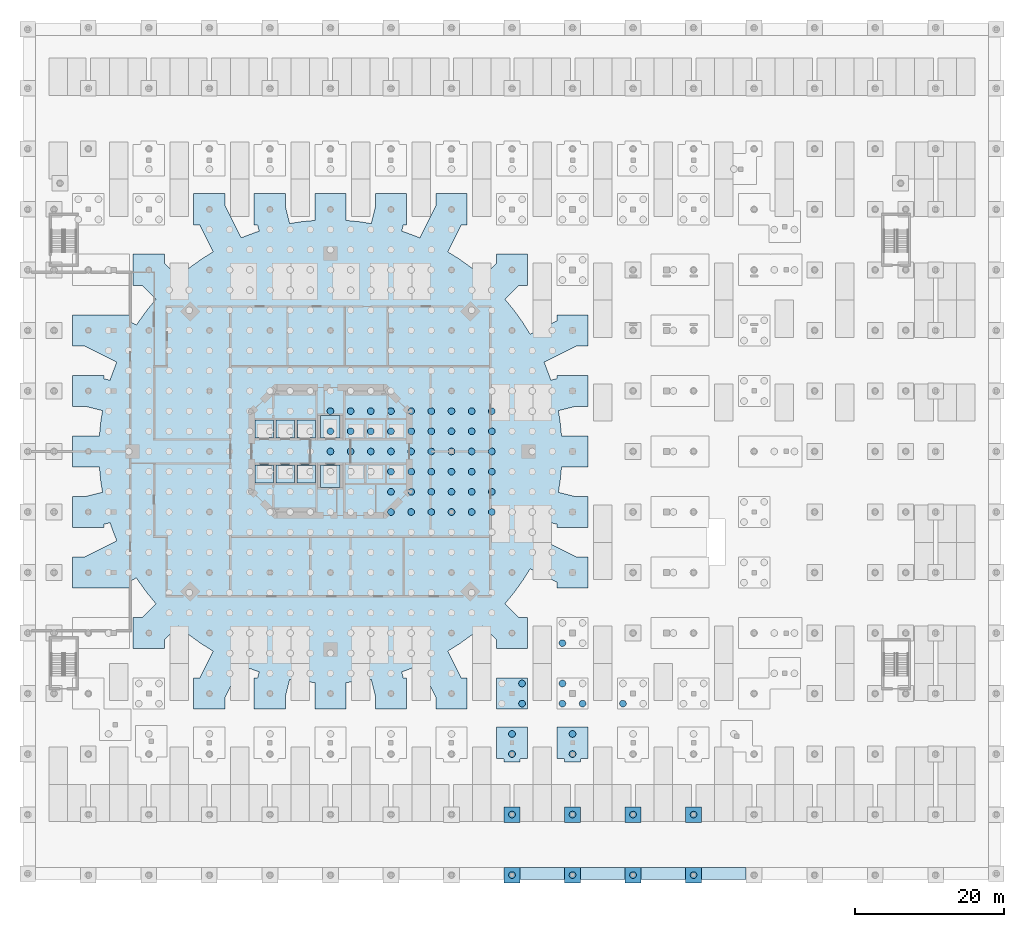
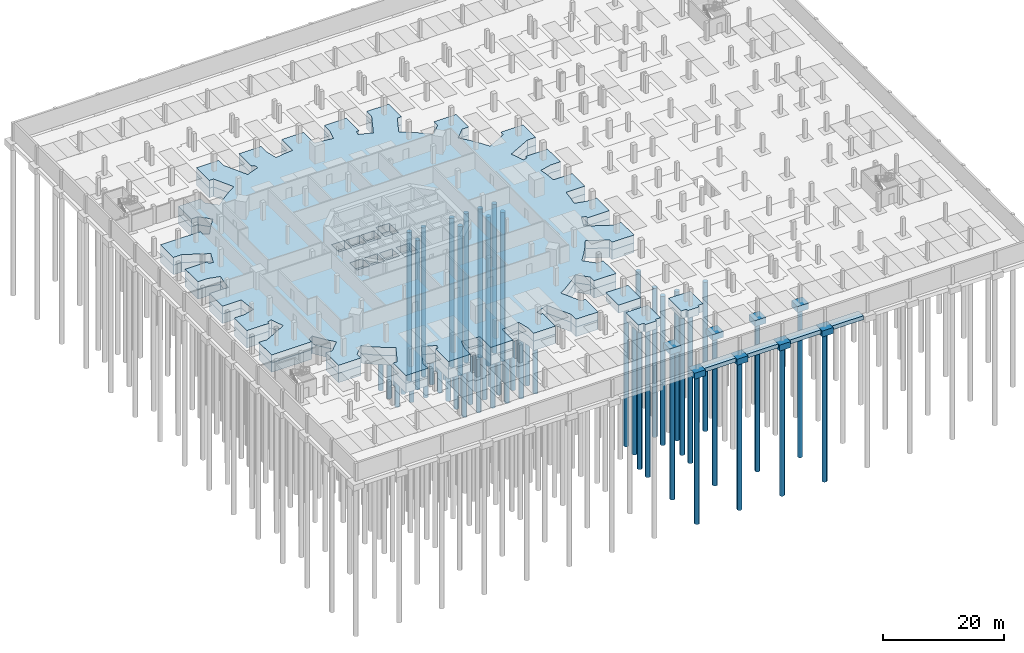
# One storey, part 3 of 23: 64 piles, 17 footings.
"""IFC4 building model written with IfcOpenShell, lengths in metres."""

from ifc_helpers import new_model, si_unit, direction, frame, origin, origin_2d, place, context, subcontext, project, spatial, polyline, rectangle, circle, outline, extrude, material, material_profile, profile_set, type_object, element, save


model = new_model("IFC4")

# Units and contexts
model_context = context("Model", 3, precision=1e-05, world=origin(), true_north=direction((0.0, 1.0)))
body_context = subcontext(model_context, "Body", "Model", "MODEL_VIEW")
ifc_project = project(units=[si_unit("LENGTHUNIT", "METRE"), si_unit("AREAUNIT", "SQUARE_METRE"), si_unit("VOLUMEUNIT", "CUBIC_METRE"), si_unit("PLANEANGLEUNIT", "RADIAN"), si_unit("MASSUNIT", "GRAM", prefix="KILO")], contexts=[model_context])

# Site, building, storey
site_placement = place(None, origin())
site = spatial("IfcSite", under=ifc_project, at=site_placement, CompositionType="ELEMENT")
building_placement = place(site_placement, origin())
building = spatial("IfcBuilding", under=site, at=building_placement, Name="Torre Triforio", CompositionType="ELEMENT")
storey_placement = place(building_placement, frame((0.0, 0.0, -10.800048828125)))
storey = spatial("IfcBuildingStorey", under=building, at=storey_placement, Name="B3", CompositionType="ELEMENT", Elevation=-10.800048828125)

# Piles
ifc_material_1 = material(Name="Concrete C35", Category="concrete")
ifc_material_profile = material_profile(ifc_material_1, circle(Radius=0.449951171875, at=origin_2d()), Name="RC D900")
ifc_profile_set = profile_set([ifc_material_profile], Name="Concrete C35")
pile_type = type_object("IfcPileType", Name="Bored pile D900 C35", PredefinedType="BORED", material=ifc_profile_set)
for number, where, z_axis, x_axis, name in (
    (1, (0.0, 0.0, -3.39990234375), (0.0, 0.0, -1.0), (1.0, 0.0, 0.0), "PL.RAFT.229"),
    (2, (0.0, 2.699951171875, -3.39990234375), (0.0, 0.0, -1.0), (1.0, 0.0, 0.0), "PL.RAFT.230"),
    (3, (0.0, 5.39990234375, -3.39990234375), (0.0, 0.0, -1.0), (1.0, 0.0, 0.0), "PL.RAFT.231"),
    (4, (2.699951171875, 0.0, -3.39990234375), (0.0, 0.0, -1.0), (1.0, 0.0, 0.0), "PL.RAFT.253"),
    (5, (2.699951171875, 2.699951171875, -3.39990234375), (0.0, 0.0, -1.0), (1.0, 0.0, 0.0), "PL.RAFT.254"),
    (6, (2.699951171875, 5.39990234375, -3.39990234375), (0.0, 0.0, -1.0), (1.0, 0.0, 0.0), "PL.RAFT.255"),
    (7, (5.39990234375, 0.0, -3.39990234375), (0.0, 0.0, -1.0), (1.0, 0.0, 0.0), "PL.RAFT.276"),
    (8, (5.39990234375, 2.699951171875, -3.39990234375), (0.0, 0.0, -1.0), (1.0, 0.0, 0.0), "PL.RAFT.277"),
    (9, (5.39990234375, 5.39990234375, -3.39990234375), (0.0, 0.0, -1.0), (1.0, 0.0, 0.0), "PL.RAFT.278"),
    (10, (8.10009765625, -8.10009765625, -3.39990234375), (0.0, 0.0, -1.0), (1.0, 0.0, 0.0), "PL.RAFT.297"),
    (11, (8.10009765625, -5.39990234375, -3.39990234375), (0.0, 0.0, -1.0), (1.0, 0.0, 0.0), "PL.RAFT.298"),
    (12, (8.10009765625, -2.699951171875, -3.39990234375), (0.0, 0.0, -1.0), (1.0, 0.0, 0.0), "PL.RAFT.299"),
    (13, (8.10009765625, 0.0, -3.39990234375), (0.0, 0.0, -1.0), (1.0, 0.0, 0.0), "PL.RAFT.300"),
    (14, (8.10009765625, 2.699951171875, -3.39990234375), (0.0, 0.0, -1.0), (1.0, 0.0, 0.0), "PL.RAFT.301"),
    (15, (8.10009765625, 5.39990234375, -3.39990234375), (0.0, 0.0, -1.0), (1.0, 0.0, 0.0), "PL.RAFT.302"),
    (16, (10.800048828125, -8.10009765625, -3.39990234375), (0.0, 0.0, -1.0), (1.0, 0.0, 0.0), "PL.RAFT.320"),
    (17, (10.800048828125, -5.39990234375, -3.39990234375), (0.0, 0.0, -1.0), (1.0, 0.0, 0.0), "PL.RAFT.321"),
    (18, (10.800048828125, -2.699951171875, -3.39990234375), (0.0, 0.0, -1.0), (1.0, 0.0, 0.0), "PL.RAFT.322"),
    (19, (10.800048828125, 0.0, -3.39990234375), (0.0, 0.0, -1.0), (1.0, 0.0, 0.0), "PL.RAFT.323"),
    (20, (10.800048828125, 2.699951171875, -3.39990234375), (0.0, 0.0, -1.0), (1.0, 0.0, 0.0), "PL.RAFT.324"),
    (21, (10.800048828125, 5.39990234375, -3.39990234375), (0.0, 0.0, -1.0), (1.0, 0.0, 0.0), "PL.RAFT.325"),
    (22, (13.5, -8.10009765625, -3.39990234375), (0.0, 0.0, -1.0), (1.0, 0.0, 0.0), "PL.RAFT.342"),
    (23, (13.5, -5.39990234375, -3.39990234375), (0.0, 0.0, -1.0), (1.0, 0.0, 0.0), "PL.RAFT.343"),
    (24, (13.5, -2.699951171875, -3.39990234375), (0.0, 0.0, -1.0), (1.0, 0.0, 0.0), "PL.RAFT.344"),
    (25, (13.5, 0.0, -3.39990234375), (0.0, 0.0, -1.0), (1.0, 0.0, 0.0), "PL.RAFT.345"),
    (26, (13.5, 2.699951171875, -3.39990234375), (0.0, 0.0, -1.0), (1.0, 0.0, 0.0), "PL.RAFT.346"),
    (27, (13.5, 5.39990234375, -3.39990234375), (0.0, 0.0, -1.0), (1.0, 0.0, 0.0), "PL.RAFT.347"),
    (28, (16.199951171875, -8.10009765625, -3.39990234375), (0.0, 0.0, -1.0), (1.0, 0.0, 0.0), "PL.RAFT.365"),
    (29, (16.199951171875, -5.39990234375, -3.39990234375), (0.0, 0.0, -1.0), (1.0, 0.0, 0.0), "PL.RAFT.366"),
    (30, (16.199951171875, -2.699951171875, -3.39990234375), (0.0, 0.0, -1.0), (1.0, 0.0, 0.0), "PL.RAFT.367"),
    (31, (16.199951171875, 0.0, -3.39990234375), (0.0, 0.0, -1.0), (1.0, 0.0, 0.0), "PL.RAFT.368"),
    (32, (16.199951171875, 2.699951171875, -3.39990234375), (0.0, 0.0, -1.0), (1.0, 0.0, 0.0), "PL.RAFT.369"),
    (33, (16.199951171875, 5.39990234375, -3.39990234375), (0.0, 0.0, -1.0), (1.0, 0.0, 0.0), "PL.RAFT.370"),
    (34, (18.89990234375, -8.10009765625, -3.39990234375), (0.0, 0.0, -1.0), (1.0, 0.0, 0.0), "PL.RAFT.385"),
    (35, (18.89990234375, -5.39990234375, -3.39990234375), (0.0, 0.0, -1.0), (1.0, 0.0, 0.0), "PL.RAFT.386"),
    (36, (18.89990234375, -2.699951171875, -3.39990234375), (0.0, 0.0, -1.0), (1.0, 0.0, 0.0), "PL.RAFT.387"),
    (37, (18.89990234375, 0.0, -3.39990234375), (0.0, 0.0, -1.0), (1.0, 0.0, 0.0), "PL.RAFT.388"),
    (38, (18.89990234375, 2.699951171875, -3.39990234375), (0.0, 0.0, -1.0), (1.0, 0.0, 0.0), "PL.RAFT.389"),
    (39, (18.89990234375, 5.39990234375, -3.39990234375), (0.0, 0.0, -1.0), (1.0, 0.0, 0.0), "PL.RAFT.390"),
    (40, (21.60009765625, -8.10009765625, -3.39990234375), (0.0, 0.0, -1.0), (1.0, 0.0, 0.0), "PL.RAFT.402"),
    (41, (21.60009765625, -5.39990234375, -3.39990234375), (0.0, 0.0, -1.0), (1.0, 0.0, 0.0), "PL.RAFT.403"),
    (42, (21.60009765625, -2.699951171875, -3.39990234375), (0.0, 0.0, -1.0), (1.0, 0.0, 0.0), "PL.RAFT.404"),
    (43, (21.60009765625, 0.0, -3.39990234375), (0.0, 0.0, -1.0), (1.0, 0.0, 0.0), "PL.RAFT.405"),
    (44, (21.60009765625, 2.699951171875, -3.39990234375), (0.0, 0.0, -1.0), (1.0, 0.0, 0.0), "PL.RAFT.406"),
    (45, (21.60009765625, 5.39990234375, -3.39990234375), (0.0, 0.0, -1.0), (1.0, 0.0, 0.0), "PL.RAFT.407"),
    (46, (24.300048828125, -56.699951171875, -1.099853515625), (0.0, 0.0, -1.0), (1.0, 0.0, 0.0), "PL.PC.008.1"),
    (47, (32.39990234375, -56.699951171875, -1.099853515625), (0.0, 0.0, -1.0), (1.0, 0.0, 0.0), "PL.PC.009.1"),
    (48, (40.5, -56.699951171875, -1.099853515625), (0.0, 0.0, -1.0), (1.0, 0.0, 0.0), "PL.PC.010.1"),
    (49, (48.60009765625, -56.699951171875, -1.099853515625), (0.0, 0.0, -1.0), (1.0, 0.0, 0.0), "PL.PC.011.1"),
    (50, (24.300048828125, -48.60009765625, -1.099853515625), (0.0, 0.0, -1.0), (1.0, 0.0, 0.0), "PL.PC.026.1"),
    (51, (32.39990234375, -48.60009765625, -1.099853515625), (0.0, 0.0, -1.0), (1.0, 0.0, 0.0), "PL.PC.027.1"),
    (52, (40.5, -48.60009765625, -1.099853515625), (0.0, 0.0, -1.0), (1.0, 0.0, 0.0), "PL.PC.028.1"),
    (53, (48.60009765625, -48.60009765625, -1.099853515625), (0.0, 0.0, -1.0), (1.0, 0.0, 0.0), "PL.PC.029.1"),
    (54, (24.300048828125, -40.5, -1.5), (0.0, 0.0, -1.0), (1.0, 0.0, 0.0), "PL.PC.046.1"),
    (55, (24.300048828125, -37.800048828125, -1.5), (0.0, 0.0, -1.0), (1.0, 0.0, 0.0), "PL.PC.046.2"),
    (56, (32.39990234375, -40.5, -1.5), (0.0, 0.0, -1.0), (1.0, 0.0, 0.0), "PL.PC.047.1"),
    (57, (32.39990234375, -37.800048828125, -1.5), (0.0, 0.0, -1.0), (1.0, 0.0, 0.0), "PL.PC.047.2"),
    (58, (25.64990234375, -33.75, -1.5), (0.0, 0.0, -1.0), (1.0, 0.0, 0.0), "PL.PC.056.2"),
    (59, (25.64990234375, -31.050048828125, -1.5), (0.0, 0.0, -1.0), (1.0, 0.0, 0.0), "PL.PC.056.4"),
    (60, (31.050048828125, -33.75, -1.5), (0.0, 0.0, -1.0), (1.0, 0.0, 0.0), "PL.PC.057.1"),
    (61, (33.75, -33.75, -1.5), (0.0, 0.0, -1.0), (1.0, 0.0, 0.0), "PL.PC.057.2"),
    (62, (31.050048828125, -31.050048828125, -1.5), (0.0, 0.0, -1.0), (1.0, 0.0, 0.0), "PL.PC.057.3"),
    (63, (39.14990234375, -33.75, -1.5), (0.0, 0.0, -1.0), (1.0, 0.0, 0.0), "PL.PC.058.1"),
    (64, (31.050048828125, -25.64990234375, -1.5), (0.0, 0.0, -1.0), (1.0, 0.0, 0.0), "PL.PC.069.1"),
):
    element("IfcPile", number, at=place(storey_placement, frame(where, z_axis=z_axis, x_axis=x_axis)), inside=storey, type_object=pile_type, Name=name, PredefinedType="BORED", context=body_context, shape_type="SweptSolid", body=[
        extrude(circle(Radius=0.449951171875, at=origin_2d()), origin(), (0.0, 0.0, 1.0), 30.0),
    ])

# Footings
ifc_material_2 = material(Name="Concrete C50", Category="concrete")
footing_type_1 = type_object("IfcFootingType", Name="Pile cap combined 1600 C50", PredefinedType="PILE_CAP", material=ifc_material_2)
footing_1_placement = place(storey_placement, frame((0.0, 0.0, -1.599853515625)))
element("IfcFooting", 65, at=footing_1_placement, inside=storey, type_object=footing_type_1, Name="FT.PC.046", PredefinedType="PILE_CAP", context=body_context, shape_type="SweptSolid", body=[
    extrude(outline(polyline([(22.2001953125, -41.099853515625), (22.20361328125, -41.10009765625), (23.10009765625, -41.10009765625), (23.11474609375, -41.100830078125), (23.129150390625, -41.102783203125), (23.1435546875, -41.1064453125), (23.157470703125, -41.111328125), (23.170654296875, -41.11767578125), (23.183349609375, -41.125244140625), (23.195068359375, -41.134033203125), (23.2060546875, -41.14404296875), (23.216064453125, -41.15478515625), (23.224609375, -41.166748046875), (23.232177734375, -41.17919921875), (23.238525390625, -41.192626953125), (23.24365234375, -41.20654296875), (23.2470703125, -41.220703125), (23.249267578125, -41.2353515625), (23.25, -41.25), (23.25, -41.54638671875), (23.250244140625, -41.5498046875), (23.253662109375, -41.550048828125), (25.346435546875, -41.550048828125), (25.349853515625, -41.5498046875), (25.35009765625, -41.54638671875), (25.35009765625, -41.25), (25.350830078125, -41.2353515625), (25.352783203125, -41.220703125), (25.3564453125, -41.20654296875), (25.361328125, -41.192626953125), (25.36767578125, -41.17919921875), (25.375244140625, -41.166748046875), (25.384033203125, -41.15478515625), (25.39404296875, -41.14404296875), (25.40478515625, -41.134033203125), (25.416748046875, -41.125244140625), (25.42919921875, -41.11767578125), (25.442626953125, -41.111328125), (25.45654296875, -41.1064453125), (25.470703125, -41.102783203125), (25.4853515625, -41.100830078125), (25.5, -41.10009765625), (26.396240234375, -41.10009765625), (26.39990234375, -41.099853515625), (26.39990234375, -41.096435546875), (26.39990234375, -36.903564453125), (26.39990234375, -36.900146484375), (26.396240234375, -36.89990234375), (22.20361328125, -36.89990234375), (22.2001953125, -36.900146484375), (22.199951171875, -36.903564453125), (22.199951171875, -41.096435546875), (22.2001953125, -41.099853515625)])), origin(), (0.0, 0.0, 1.0), 1.599853515625),
])
footing_2_placement = place(storey_placement, frame((0.0, 0.0, -1.599853515625)))
element("IfcFooting", 66, at=footing_2_placement, inside=storey, type_object=footing_type_1, Name="FT.PC.047", PredefinedType="PILE_CAP", context=body_context, shape_type="SweptSolid", body=[
    extrude(outline(polyline([(30.30029296875, -41.099853515625), (30.3037109375, -41.10009765625), (31.199951171875, -41.10009765625), (31.214599609375, -41.100830078125), (31.229248046875, -41.102783203125), (31.24365234375, -41.1064453125), (31.25732421875, -41.111328125), (31.270751953125, -41.11767578125), (31.283447265625, -41.125244140625), (31.295166015625, -41.134033203125), (31.30615234375, -41.14404296875), (31.31591796875, -41.15478515625), (31.32470703125, -41.166748046875), (31.332275390625, -41.17919921875), (31.338623046875, -41.192626953125), (31.343505859375, -41.20654296875), (31.34716796875, -41.220703125), (31.349365234375, -41.2353515625), (31.35009765625, -41.25), (31.35009765625, -41.54638671875), (31.35009765625, -41.5498046875), (31.353759765625, -41.550048828125), (33.4462890625, -41.550048828125), (33.44970703125, -41.5498046875), (33.449951171875, -41.54638671875), (33.449951171875, -41.25), (33.45068359375, -41.2353515625), (33.452880859375, -41.220703125), (33.45654296875, -41.20654296875), (33.46142578125, -41.192626953125), (33.4677734375, -41.17919921875), (33.475341796875, -41.166748046875), (33.484130859375, -41.15478515625), (33.493896484375, -41.14404296875), (33.5048828125, -41.134033203125), (33.5166015625, -41.125244140625), (33.529296875, -41.11767578125), (33.54248046875, -41.111328125), (33.556396484375, -41.1064453125), (33.57080078125, -41.102783203125), (33.585205078125, -41.100830078125), (33.60009765625, -41.10009765625), (34.496337890625, -41.10009765625), (34.499755859375, -41.099853515625), (34.5, -41.096435546875), (34.5, -36.903564453125), (34.499755859375, -36.900146484375), (34.496337890625, -36.89990234375), (30.3037109375, -36.89990234375), (30.30029296875, -36.900146484375), (30.300048828125, -36.903564453125), (30.300048828125, -41.096435546875), (30.30029296875, -41.099853515625)])), origin(), (0.0, 0.0, 1.0), 1.599853515625),
])
footing_type_2 = type_object("IfcFootingType", Name="Pile cap four pile 4200 1600 C50", PredefinedType="PILE_CAP", material=ifc_material_2)
footing_3_placement = place(storey_placement, frame((24.300048828125, -32.39990234375, -1.60009765625), z_axis=(0.0, 0.0, 1.0), x_axis=(1.0, 0.0, 0.0)))
element("IfcFooting", 67, at=footing_3_placement, inside=storey, type_object=footing_type_2, Name="FT.PC.056", PredefinedType="PILE_CAP", context=body_context, shape_type="SweptSolid", body=[
    extrude(rectangle(XDim=4.199951171875, YDim=4.199951171875, at=origin_2d()), origin(), (0.0, 0.0, 1.0), 1.60009765625),
])
footing_type_3 = type_object("IfcFootingType", Name="Pile cap single pile 2100 1200 C50", PredefinedType="PILE_CAP", material=ifc_material_2)
for number, where, z_axis, x_axis, name in (
    (68, (24.300048828125, -56.699951171875, -1.19970703125), (0.0, 0.0, 1.0), (1.0, 0.0, 0.0), "FT.PC.008"),
    (69, (32.39990234375, -56.699951171875, -1.19970703125), (0.0, 0.0, 1.0), (1.0, 0.0, 0.0), "FT.PC.009"),
    (70, (40.5, -56.699951171875, -1.19970703125), (0.0, 0.0, 1.0), (1.0, 0.0, 0.0), "FT.PC.010"),
    (71, (48.60009765625, -56.699951171875, -1.19970703125), (0.0, 0.0, 1.0), (1.0, 0.0, 0.0), "FT.PC.011"),
    (72, (24.300048828125, -48.60009765625, -1.19970703125), (0.0, 0.0, 1.0), (1.0, 0.0, 0.0), "FT.PC.026"),
    (73, (32.39990234375, -48.60009765625, -1.19970703125), (0.0, 0.0, 1.0), (1.0, 0.0, 0.0), "FT.PC.027"),
    (74, (40.5, -48.60009765625, -1.19970703125), (0.0, 0.0, 1.0), (1.0, 0.0, 0.0), "FT.PC.028"),
    (75, (48.60009765625, -48.60009765625, -1.19970703125), (0.0, 0.0, 1.0), (1.0, 0.0, 0.0), "FT.PC.029"),
):
    element("IfcFooting", number, at=place(storey_placement, frame(where, z_axis=z_axis, x_axis=x_axis)), inside=storey, type_object=footing_type_3, Name=name, PredefinedType="PILE_CAP", context=body_context, shape_type="SweptSolid", body=[
        extrude(rectangle(XDim=2.10009765625, YDim=2.10009765625, at=origin_2d()), origin(), (0.0, 0.0, 1.0), 1.199951171875),
    ])
footing_type_4 = type_object("IfcFootingType", Name="Raft 3500 C50", PredefinedType="PILE_CAP", material=ifc_material_2)
footing_4_placement = place(storey_placement, frame((0.0, 0.0, -3.5)))
element("IfcFooting", 76, at=footing_4_placement, inside=storey, type_object=footing_type_4, Name="FT.RAFT.1", PredefinedType="PILE_CAP", context=body_context, shape_type="SweptSolid", body=[
    extrude(outline(polyline([(-9.535888671875, -29.48486328125), (-9.73974609375, -30.300048828125), (-10.199951171875, -30.300048828125), (-10.199951171875, -34.5), (-6.0, -34.5), (-6.0, -32.658447265625), (-5.460693359375, -30.501220703125), (-4.04638671875, -30.73486328125), (-2.10009765625, -30.926513671875), (-2.10009765625, -32.39990234375), (-2.10009765625, -34.5), (2.10009765625, -34.5), (2.10009765625, -32.39990234375), (2.10009765625, -30.926513671875), (4.04638671875, -30.73486328125), (5.460693359375, -30.501220703125), (6.0, -32.658447265625), (6.0, -34.5), (10.199951171875, -34.5), (10.199951171875, -30.300048828125), (9.73974609375, -30.300048828125), (9.535888671875, -29.48486328125), (9.964599609375, -29.354736328125), (11.86328125, -28.640380859375), (11.9521484375, -28.599853515625), (14.10009765625, -32.895751953125), (14.10009765625, -34.5), (18.300048828125, -34.5), (18.300048828125, -30.300048828125), (17.497802734375, -30.300048828125), (15.70703125, -26.718017578125), (17.22265625, -25.775634765625), (18.87158203125, -24.593994140625), (20.38330078125, -23.353271484375), (22.199951171875, -25.169921875), (22.199951171875, -26.39990234375), (26.39990234375, -26.39990234375), (26.39990234375, -22.199951171875), (25.169921875, -22.199951171875), (23.353271484375, -20.38330078125), (24.593994140625, -18.87158203125), (25.775634765625, -17.22265625), (26.718017578125, -15.70703125), (30.300048828125, -17.497802734375), (30.300048828125, -18.300048828125), (34.5, -18.300048828125), (34.5, -14.10009765625), (32.895751953125, -14.10009765625), (28.599853515625, -11.9521484375), (28.640380859375, -11.86328125), (29.354736328125, -9.964599609375), (29.48486328125, -9.535888671875), (30.300048828125, -9.73974609375), (30.300048828125, -10.199951171875), (34.5, -10.199951171875), (34.5, -6.0), (32.658447265625, -6.0), (30.501220703125, -5.460693359375), (30.73486328125, -4.04638671875), (30.926513671875, -2.10009765625), (32.39990234375, -2.10009765625), (34.5, -2.10009765625), (34.5, 2.10009765625), (32.39990234375, 2.10009765625), (30.926513671875, 2.10009765625), (30.73486328125, 4.04638671875), (30.501220703125, 5.460693359375), (32.658447265625, 6.0), (34.5, 6.0), (34.5, 10.199951171875), (30.300048828125, 10.199951171875), (30.300048828125, 9.73974609375), (29.48486328125, 9.535888671875), (29.354736328125, 9.964599609375), (28.640380859375, 11.86328125), (28.599853515625, 11.9521484375), (32.895751953125, 14.10009765625), (34.5, 14.10009765625), (34.5, 18.300048828125), (30.300048828125, 18.300048828125), (30.300048828125, 17.497802734375), (26.718017578125, 15.70703125), (25.775634765625, 17.22265625), (24.593994140625, 18.87158203125), (23.353271484375, 20.38330078125), (25.169921875, 22.199951171875), (26.39990234375, 22.199951171875), (26.39990234375, 26.39990234375), (22.199951171875, 26.39990234375), (22.199951171875, 25.169921875), (20.38330078125, 23.353271484375), (18.87158203125, 24.593994140625), (17.22265625, 25.775634765625), (15.70703125, 26.718017578125), (17.497802734375, 30.300048828125), (18.300048828125, 30.300048828125), (18.300048828125, 34.5), (14.10009765625, 34.5), (14.10009765625, 32.895751953125), (11.9521484375, 28.599853515625), (11.86328125, 28.640380859375), (9.964599609375, 29.354736328125), (9.535888671875, 29.48486328125), (9.73974609375, 30.300048828125), (10.199951171875, 30.300048828125), (10.199951171875, 34.5), (6.0, 34.5), (6.0, 32.658447265625), (5.460693359375, 30.501220703125), (4.04638671875, 30.73486328125), (2.10009765625, 30.926513671875), (2.10009765625, 32.39990234375), (2.10009765625, 34.5), (-2.10009765625, 34.5), (-2.10009765625, 32.39990234375), (-2.10009765625, 30.926513671875), (-4.04638671875, 30.73486328125), (-5.460693359375, 30.501220703125), (-6.0, 32.658447265625), (-6.0, 34.5), (-10.199951171875, 34.5), (-10.199951171875, 30.300048828125), (-9.73974609375, 30.300048828125), (-9.535888671875, 29.48486328125), (-9.964599609375, 29.354736328125), (-11.86328125, 28.640380859375), (-11.9521484375, 28.599853515625), (-14.10009765625, 32.895751953125), (-14.10009765625, 34.5), (-18.300048828125, 34.5), (-18.300048828125, 30.300048828125), (-17.497802734375, 30.300048828125), (-15.70703125, 26.718017578125), (-17.22265625, 25.775634765625), (-18.87158203125, 24.593994140625), (-20.38330078125, 23.353271484375), (-22.199951171875, 25.169921875), (-22.199951171875, 26.39990234375), (-26.39990234375, 26.39990234375), (-26.39990234375, 22.199951171875), (-25.169921875, 22.199951171875), (-23.353271484375, 20.38330078125), (-24.593994140625, 18.87158203125), (-25.775634765625, 17.22265625), (-25.96875, 16.912109375), (-26.89990234375, 17.432373046875), (-26.89990234375, 18.300048828125), (-30.300048828125, 18.300048828125), (-31.10009765625, 18.300048828125), (-34.5, 18.300048828125), (-34.5, 14.10009765625), (-32.895751953125, 14.10009765625), (-28.599853515625, 11.9521484375), (-28.640380859375, 11.86328125), (-29.354736328125, 9.964599609375), (-29.48486328125, 9.535888671875), (-30.300048828125, 9.73974609375), (-30.300048828125, 10.199951171875), (-34.5, 10.199951171875), (-34.5, 6.0), (-32.658447265625, 6.0), (-30.501220703125, 5.460693359375), (-30.73486328125, 4.04638671875), (-30.926513671875, 2.10009765625), (-32.39990234375, 2.10009765625), (-34.5, 2.10009765625), (-34.5, -2.10009765625), (-32.39990234375, -2.10009765625), (-30.926513671875, -2.10009765625), (-30.73486328125, -4.04638671875), (-30.501220703125, -5.460693359375), (-32.658447265625, -6.0), (-34.5, -6.0), (-34.5, -10.199951171875), (-30.300048828125, -10.199951171875), (-30.300048828125, -9.73974609375), (-29.48486328125, -9.535888671875), (-29.354736328125, -9.964599609375), (-28.640380859375, -11.86328125), (-28.599853515625, -11.9521484375), (-32.895751953125, -14.10009765625), (-34.5, -14.10009765625), (-34.5, -18.300048828125), (-31.10009765625, -18.300048828125), (-30.300048828125, -18.300048828125), (-26.89990234375, -18.300048828125), (-26.89990234375, -17.432373046875), (-25.96875, -16.912109375), (-25.775634765625, -17.22265625), (-24.593994140625, -18.87158203125), (-23.353271484375, -20.38330078125), (-25.169921875, -22.199951171875), (-26.39990234375, -22.199951171875), (-26.39990234375, -26.39990234375), (-22.199951171875, -26.39990234375), (-22.199951171875, -25.169921875), (-20.38330078125, -23.353271484375), (-18.87158203125, -24.593994140625), (-17.22265625, -25.775634765625), (-15.70703125, -26.718017578125), (-17.497802734375, -30.300048828125), (-18.300048828125, -30.300048828125), (-18.300048828125, -34.5), (-14.10009765625, -34.5), (-14.10009765625, -32.895751953125), (-11.9521484375, -28.599853515625), (-11.86328125, -28.640380859375), (-9.964599609375, -29.354736328125), (-9.535888671875, -29.48486328125)])), origin(), (0.0, 0.0, 1.0), 1.900146484375),
])
footing_5_placement = place(storey_placement, frame((0.0, 0.0, -1.599853515625)))
element("IfcFooting", 77, at=footing_5_placement, inside=storey, type_object=footing_type_4, Name="FT.RAFT.2", PredefinedType="PILE_CAP", context=body_context, shape_type="SweptSolid", body=[
    extrude(outline(polyline([(-9.535888671875, -29.48486328125), (-9.73974609375, -30.300048828125), (-10.199951171875, -30.300048828125), (-10.199951171875, -34.5), (-6.0, -34.5), (-6.0, -32.658447265625), (-5.460693359375, -30.501220703125), (-4.04638671875, -30.73486328125), (-2.10009765625, -30.926513671875), (-2.10009765625, -32.39990234375), (-2.10009765625, -34.5), (2.10009765625, -34.5), (2.10009765625, -32.39990234375), (2.10009765625, -30.926513671875), (4.04638671875, -30.73486328125), (5.460693359375, -30.501220703125), (6.0, -32.658447265625), (6.0, -34.5), (10.199951171875, -34.5), (10.199951171875, -30.300048828125), (9.73974609375, -30.300048828125), (9.535888671875, -29.48486328125), (9.964599609375, -29.354736328125), (11.86328125, -28.640380859375), (11.9521484375, -28.599853515625), (14.10009765625, -32.895751953125), (14.10009765625, -34.5), (18.300048828125, -34.5), (18.300048828125, -30.300048828125), (17.497802734375, -30.300048828125), (15.70703125, -26.718017578125), (17.22265625, -25.775634765625), (18.87158203125, -24.593994140625), (20.38330078125, -23.353271484375), (22.199951171875, -25.169921875), (22.199951171875, -26.39990234375), (26.39990234375, -26.39990234375), (26.39990234375, -22.199951171875), (25.169921875, -22.199951171875), (23.353271484375, -20.38330078125), (24.593994140625, -18.87158203125), (25.775634765625, -17.22265625), (26.718017578125, -15.70703125), (30.300048828125, -17.497802734375), (30.300048828125, -18.300048828125), (34.5, -18.300048828125), (34.5, -14.10009765625), (32.895751953125, -14.10009765625), (28.599853515625, -11.9521484375), (28.640380859375, -11.86328125), (29.354736328125, -9.964599609375), (29.48486328125, -9.535888671875), (30.300048828125, -9.73974609375), (30.300048828125, -10.199951171875), (34.5, -10.199951171875), (34.5, -6.0), (32.658447265625, -6.0), (30.501220703125, -5.460693359375), (30.73486328125, -4.04638671875), (30.926513671875, -2.10009765625), (32.39990234375, -2.10009765625), (34.5, -2.10009765625), (34.5, 2.10009765625), (32.39990234375, 2.10009765625), (30.926513671875, 2.10009765625), (30.73486328125, 4.04638671875), (30.501220703125, 5.460693359375), (32.658447265625, 6.0), (34.5, 6.0), (34.5, 10.199951171875), (30.300048828125, 10.199951171875), (30.300048828125, 9.73974609375), (29.48486328125, 9.535888671875), (29.354736328125, 9.964599609375), (28.640380859375, 11.86328125), (28.599853515625, 11.9521484375), (32.895751953125, 14.10009765625), (34.5, 14.10009765625), (34.5, 18.300048828125), (30.300048828125, 18.300048828125), (30.300048828125, 17.497802734375), (26.718017578125, 15.70703125), (25.775634765625, 17.22265625), (24.593994140625, 18.87158203125), (23.353271484375, 20.38330078125), (25.169921875, 22.199951171875), (26.39990234375, 22.199951171875), (26.39990234375, 26.39990234375), (22.199951171875, 26.39990234375), (22.199951171875, 25.169921875), (20.38330078125, 23.353271484375), (18.87158203125, 24.593994140625), (17.22265625, 25.775634765625), (15.70703125, 26.718017578125), (17.497802734375, 30.300048828125), (18.300048828125, 30.300048828125), (18.300048828125, 34.5), (14.10009765625, 34.5), (14.10009765625, 32.895751953125), (11.9521484375, 28.599853515625), (11.86328125, 28.640380859375), (9.964599609375, 29.354736328125), (9.535888671875, 29.48486328125), (9.73974609375, 30.300048828125), (10.199951171875, 30.300048828125), (10.199951171875, 34.5), (6.0, 34.5), (6.0, 32.658447265625), (5.460693359375, 30.501220703125), (4.04638671875, 30.73486328125), (2.10009765625, 30.926513671875), (2.10009765625, 32.39990234375), (2.10009765625, 34.5), (-2.10009765625, 34.5), (-2.10009765625, 32.39990234375), (-2.10009765625, 30.926513671875), (-4.04638671875, 30.73486328125), (-5.460693359375, 30.501220703125), (-6.0, 32.658447265625), (-6.0, 34.5), (-10.199951171875, 34.5), (-10.199951171875, 30.300048828125), (-9.73974609375, 30.300048828125), (-9.535888671875, 29.48486328125), (-9.964599609375, 29.354736328125), (-11.86328125, 28.640380859375), (-11.9521484375, 28.599853515625), (-14.10009765625, 32.895751953125), (-14.10009765625, 34.5), (-18.300048828125, 34.5), (-18.300048828125, 30.300048828125), (-17.497802734375, 30.300048828125), (-15.70703125, 26.718017578125), (-17.22265625, 25.775634765625), (-18.87158203125, 24.593994140625), (-20.38330078125, 23.353271484375), (-22.199951171875, 25.169921875), (-22.199951171875, 26.39990234375), (-26.39990234375, 26.39990234375), (-26.39990234375, 22.199951171875), (-25.169921875, 22.199951171875), (-23.353271484375, 20.38330078125), (-24.593994140625, 18.87158203125), (-25.775634765625, 17.22265625), (-25.96875, 16.912109375), (-26.89990234375, 17.432373046875), (-26.89990234375, 18.300048828125), (-30.300048828125, 18.300048828125), (-31.10009765625, 18.300048828125), (-34.5, 18.300048828125), (-34.5, 14.10009765625), (-32.895751953125, 14.10009765625), (-28.599853515625, 11.9521484375), (-28.640380859375, 11.86328125), (-29.354736328125, 9.964599609375), (-29.48486328125, 9.535888671875), (-30.300048828125, 9.73974609375), (-30.300048828125, 10.199951171875), (-34.5, 10.199951171875), (-34.5, 6.0), (-32.658447265625, 6.0), (-30.501220703125, 5.460693359375), (-30.73486328125, 4.04638671875), (-30.926513671875, 2.10009765625), (-32.39990234375, 2.10009765625), (-34.5, 2.10009765625), (-34.5, -2.10009765625), (-32.39990234375, -2.10009765625), (-30.926513671875, -2.10009765625), (-30.73486328125, -4.04638671875), (-30.501220703125, -5.460693359375), (-32.658447265625, -6.0), (-34.5, -6.0), (-34.5, -10.199951171875), (-30.300048828125, -10.199951171875), (-30.300048828125, -9.73974609375), (-29.48486328125, -9.535888671875), (-29.354736328125, -9.964599609375), (-28.640380859375, -11.86328125), (-28.599853515625, -11.9521484375), (-32.895751953125, -14.10009765625), (-34.5, -14.10009765625), (-34.5, -18.300048828125), (-31.10009765625, -18.300048828125), (-30.300048828125, -18.300048828125), (-26.89990234375, -18.300048828125), (-26.89990234375, -17.432373046875), (-25.96875, -16.912109375), (-25.775634765625, -17.22265625), (-24.593994140625, -18.87158203125), (-23.353271484375, -20.38330078125), (-25.169921875, -22.199951171875), (-26.39990234375, -22.199951171875), (-26.39990234375, -26.39990234375), (-22.199951171875, -26.39990234375), (-22.199951171875, -25.169921875), (-20.38330078125, -23.353271484375), (-18.87158203125, -24.593994140625), (-17.22265625, -25.775634765625), (-15.70703125, -26.718017578125), (-17.497802734375, -30.300048828125), (-18.300048828125, -30.300048828125), (-18.300048828125, -34.5), (-14.10009765625, -34.5), (-14.10009765625, -32.895751953125), (-11.9521484375, -28.599853515625), (-11.86328125, -28.640380859375), (-9.964599609375, -29.354736328125), (-9.535888671875, -29.48486328125)]), holes=[polyline([(-7.60009765625, 1.800048828125), (-7.60009765625, 4.199951171875), (-10.10009765625, 4.199951171875), (-10.10009765625, 1.800048828125), (-7.60009765625, 1.800048828125)]), polyline([(-4.800048828125, 1.800048828125), (-4.800048828125, 4.199951171875), (-7.300048828125, 4.199951171875), (-7.300048828125, 1.800048828125), (-4.800048828125, 1.800048828125)]), polyline([(-2.0, 1.800048828125), (-2.0, 4.199951171875), (-4.5, 4.199951171875), (-4.5, 1.800048828125), (-2.0, 1.800048828125)]), polyline([(-7.60009765625, -4.199951171875), (-7.60009765625, -1.800048828125), (-10.10009765625, -1.800048828125), (-10.10009765625, -4.199951171875), (-7.60009765625, -4.199951171875)]), polyline([(-4.800048828125, -4.199951171875), (-4.800048828125, -1.800048828125), (-7.300048828125, -1.800048828125), (-7.300048828125, -4.199951171875), (-4.800048828125, -4.199951171875)]), polyline([(-2.0, -4.199951171875), (-2.0, -1.800048828125), (-4.5, -1.800048828125), (-4.5, -4.199951171875), (-2.0, -4.199951171875)]), polyline([(1.300048828125, 1.800048828125), (1.300048828125, 4.800048828125), (-1.300048828125, 4.800048828125), (-1.300048828125, 1.800048828125), (1.300048828125, 1.800048828125)]), polyline([(1.300048828125, -4.800048828125), (1.300048828125, -1.800048828125), (-1.300048828125, -1.800048828125), (-1.300048828125, -4.800048828125), (1.300048828125, -4.800048828125)])]), origin(), (0.0, 0.0, 1.0), 1.599853515625),
])
ifc_material_3 = material(Name="Concrete C40", Category="concrete")
footing_type_5 = type_object("IfcFootingType", Name="Strip footing 1600 800 C40", PredefinedType="STRIP_FOOTING", material=ifc_material_3)
footing_6_placement = place(storey_placement, frame((0.0, 0.0, -0.800048828125)))
element("IfcFooting", 78, at=footing_6_placement, inside=storey, type_object=footing_type_5, Name="FT.STRIP.09", PredefinedType="STRIP_FOOTING", context=body_context, shape_type="SweptSolid", body=[
    extrude(outline(polyline([(33.449951171875, -57.300048828125), (39.449951171875, -57.300048828125), (39.449951171875, -55.699951171875), (33.449951171875, -55.699951171875), (33.449951171875, -57.300048828125)])), origin(), (0.0, 0.0, 1.0), 0.800048828125),
])
footing_7_placement = place(storey_placement, frame((0.0, 0.0, -0.800048828125)))
element("IfcFooting", 79, at=footing_7_placement, inside=storey, type_object=footing_type_5, Name="FT.STRIP.11", PredefinedType="STRIP_FOOTING", context=body_context, shape_type="SweptSolid", body=[
    extrude(outline(polyline([(41.550048828125, -57.300048828125), (47.550048828125, -57.300048828125), (47.550048828125, -55.699951171875), (41.550048828125, -55.699951171875), (41.550048828125, -57.300048828125)])), origin(), (0.0, 0.0, 1.0), 0.800048828125),
])
footing_8_placement = place(storey_placement, frame((0.0, 0.0, -0.800048828125)))
element("IfcFooting", 80, at=footing_8_placement, inside=storey, type_object=footing_type_5, Name="FT.STRIP.13", PredefinedType="STRIP_FOOTING", context=body_context, shape_type="SweptSolid", body=[
    extrude(outline(polyline([(49.64990234375, -57.300048828125), (55.64990234375, -57.300048828125), (55.64990234375, -55.699951171875), (49.64990234375, -55.699951171875), (49.64990234375, -57.300048828125)])), origin(), (0.0, 0.0, 1.0), 0.800048828125),
])
footing_9_placement = place(storey_placement, frame((0.0, 0.0, -0.800048828125)))
element("IfcFooting", 81, at=footing_9_placement, inside=storey, type_object=footing_type_5, Name="FT.STRIP.53", PredefinedType="STRIP_FOOTING", context=body_context, shape_type="SweptSolid", body=[
    extrude(outline(polyline([(25.35009765625, -57.300048828125), (31.35009765625, -57.300048828125), (31.35009765625, -55.699951171875), (25.35009765625, -55.699951171875), (25.35009765625, -57.300048828125)])), origin(), (0.0, 0.0, 1.0), 0.800048828125),
])

save(model, "model.ifc")
